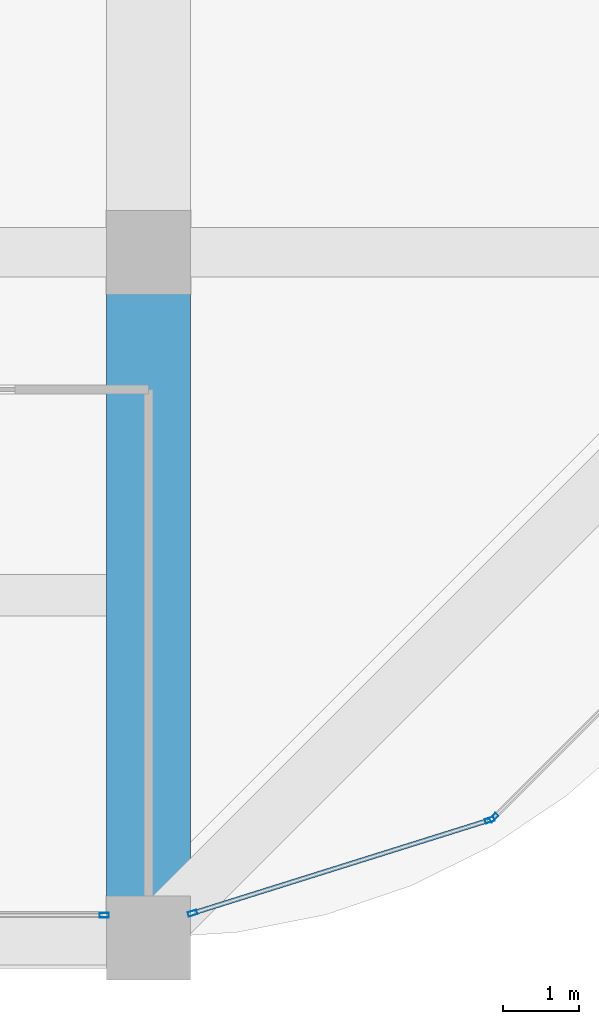
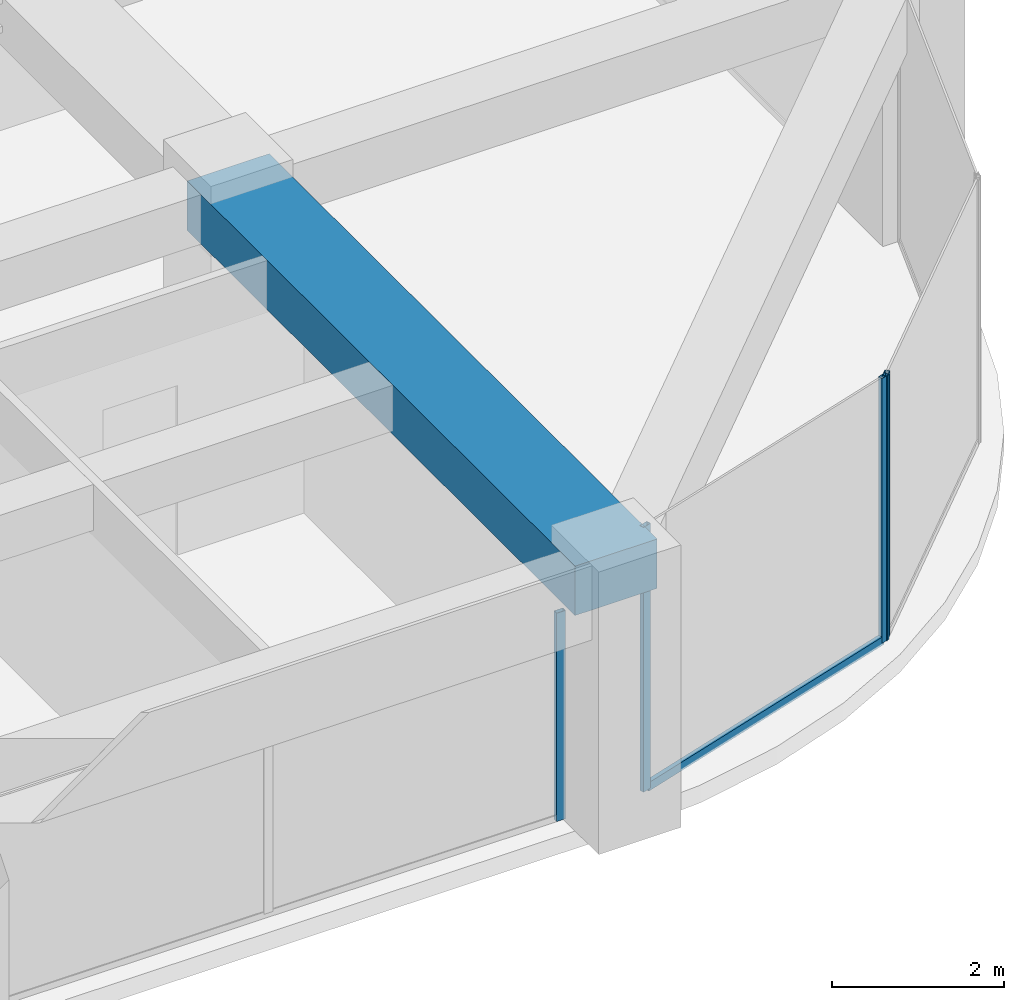
# One storey, part 18 of 44: 5 members, 1 beam, 3 elements without a shape of their own.
"""IFC4 building model written with IfcOpenShell, lengths in metres."""

from ifc_helpers import new_model, si_unit, direction, frame, origin, origin_2d, place, context, subcontext, project, spatial, rectangle, hollow_rectangle, extrude, material, material_profile, profile_set, type_object, element, aggregate, save


model = new_model("IFC4")

# Units and contexts
model_context = context("Model", 3, precision=1e-05, world=origin(), true_north=direction((0.0, 1.0)))
body_context = subcontext(model_context, "Body", "Model", "MODEL_VIEW")
ifc_project = project(units=[si_unit("LENGTHUNIT", "METRE"), si_unit("AREAUNIT", "SQUARE_METRE"), si_unit("VOLUMEUNIT", "CUBIC_METRE"), si_unit("PLANEANGLEUNIT", "RADIAN"), si_unit("MASSUNIT", "GRAM", prefix="KILO")], contexts=[model_context])

# Site, building, storey
site_placement = place(None, origin())
site = spatial("IfcSite", under=ifc_project, at=site_placement, CompositionType="ELEMENT")
building_placement = place(site_placement, origin())
building = spatial("IfcBuilding", under=site, at=building_placement, Name="Zorevar Civic Tower", CompositionType="ELEMENT")
storey_placement = place(building_placement, frame((0.0, 0.0, 283.39990234375)))
storey = spatial("IfcBuildingStorey", under=building, at=storey_placement, Name="L69", CompositionType="ELEMENT", Elevation=283.39990234375)

# Beam
ifc_material_1 = material(Name="Concrete C50/60", Category="concrete")
ifc_material_profile_1 = material_profile(ifc_material_1, rectangle(XDim=1.10009765625, YDim=0.699951171875, at=origin_2d()), Name="RC 1100x700")
ifc_profile_set_1 = profile_set([ifc_material_profile_1], Name="Concrete C50/60")
beam_type = type_object("IfcBeamType", Name="Beam RC 1100x700", PredefinedType="BEAM", material=ifc_profile_set_1)
beam_placement = place(storey_placement, frame((45.0, 0.0, 3.400146484375), z_axis=(0.0, 1.0, 0.0), x_axis=(-1.0, 0.0, 0.0)))
element("IfcBeam", 1, at=beam_placement, inside=storey, type_object=beam_type, Name="Girder L70", PredefinedType="BEAM", context=body_context, shape_type="SweptSolid", body=[
    extrude(rectangle(XDim=1.10009765625, YDim=0.699951171875, at=origin_2d()), origin(), (0.0, 0.0, 1.0), 9.0),
])

# Curtain wall, member
ifc_material_2 = material(Name="Dark grey solar-control glass in black aluminium frame", Category="aluminium")
curtain_wall_type = type_object("IfcCurtainWallType", Name="Curtain wall CW5 top zone", PredefinedType="NOTDEFINED", material=ifc_material_2)
curtain_wall_1_placement = place(storey_placement, origin())
curtain_wall_1 = element("IfcCurtainWall", 2, at=curtain_wall_1_placement, inside=storey, type_object=curtain_wall_type, Name="CW5 L69", PredefinedType="NOTDEFINED")
ifc_material_3 = material(Name="Aluminium, black anodised", Category="aluminium")
ifc_material_profile_2 = material_profile(ifc_material_3, hollow_rectangle(XDim=0.06005859375, YDim=0.1201171875, WallThickness=0.0029296875, at=origin_2d()), Name="AL 120x60x3")
ifc_profile_set_2 = profile_set([ifc_material_profile_2], Name="Aluminium, black anodised")
member_type_1 = type_object("IfcMemberType", Name="CW5 mullion AL 120x60x3", PredefinedType="MULLION", material=ifc_profile_set_2)
member_1_placement = place(storey_placement, frame((44.419921875, 0.300048828125, 0.0), z_axis=(0.0, 0.0, 1.0), x_axis=(0.0, 1.0, 0.0)))
member_1 = element("IfcMember", 3, at=member_1_placement, type_object=member_type_1, Name="CW5 mullion 3", PredefinedType="MULLION", context=body_context, shape_type="SweptSolid", body=[
    extrude(hollow_rectangle(XDim=0.06005859375, YDim=0.1201171875, WallThickness=0.0029296875, at=origin_2d()), origin(), (0.0, 0.0, 1.0), 2.9501953125),
])
aggregate(curtain_wall_1, [member_1])

# Curtain wall, members
curtain_wall_2_placement = place(storey_placement, origin())
curtain_wall_2 = element("IfcCurtainWall", 4, at=curtain_wall_2_placement, inside=storey, type_object=curtain_wall_type, Name="CW5 L69", PredefinedType="NOTDEFINED")
member_2_placement = place(storey_placement, frame((45.57861328125, 0.326416015625, 0.0), z_axis=(0.0, 0.0, 1.0), x_axis=(-0.299317920238, 0.954153437674, 0.0)))
member_2 = element("IfcMember", 5, at=member_2_placement, type_object=member_type_1, Name="CW5 mullion 1", PredefinedType="MULLION", context=body_context, shape_type="SweptSolid", body=[
    extrude(hollow_rectangle(XDim=0.06005859375, YDim=0.1201171875, WallThickness=0.0029296875, at=origin_2d()), origin(), (0.0, 0.0, 1.0), 3.75),
])
member_3_placement = place(storey_placement, frame((49.479248046875, 1.550048828125, 0.0), z_axis=(0.0, 0.0, 1.0), x_axis=(-0.299317920238, 0.954153437674, 0.0)))
member_3 = element("IfcMember", 6, at=member_3_placement, type_object=member_type_1, Name="CW5 mullion 2", PredefinedType="MULLION", context=body_context, shape_type="SweptSolid", body=[
    extrude(hollow_rectangle(XDim=0.06005859375, YDim=0.1201171875, WallThickness=0.0029296875, at=origin_2d()), origin(), (0.0, 0.0, 1.0), 3.75),
])

# Curtain wall, member
curtain_wall_3_placement = place(storey_placement, origin())
curtain_wall_3 = element("IfcCurtainWall", 7, at=curtain_wall_3_placement, inside=storey, type_object=curtain_wall_type, Name="CW5 L69", PredefinedType="NOTDEFINED")
member_4_placement = place(storey_placement, frame((49.529052734375, 1.580322265625, 0.0), z_axis=(0.0, 0.0, 1.0), x_axis=(-0.707106781187, 0.707106781187, 0.0)))
member_4 = element("IfcMember", 8, at=member_4_placement, type_object=member_type_1, Name="CW5 mullion 1", PredefinedType="MULLION", context=body_context, shape_type="SweptSolid", body=[
    extrude(hollow_rectangle(XDim=0.06005859375, YDim=0.1201171875, WallThickness=0.0029296875, at=origin_2d()), origin(), (0.0, 0.0, 1.0), 3.75),
])
aggregate(curtain_wall_3, [member_4])

# Member
ifc_material_4 = material(Name="Aluminium, black anodised", Category="aluminium")
ifc_material_profile_3 = material_profile(ifc_material_4, hollow_rectangle(XDim=0.06005859375, YDim=0.1201171875, WallThickness=0.0029296875, at=origin_2d()), Name="AL 120x60x3")
ifc_profile_set_3 = profile_set([ifc_material_profile_3], Name="Aluminium, black anodised")
member_type_2 = type_object("IfcMemberType", Name="CW5 transom AL 120x60x3", PredefinedType="USERDEFINED", material=ifc_profile_set_3)
member_5_placement = place(storey_placement, frame((45.607177734375, 0.33544921875, 0.030029296875), z_axis=(0.954163457351, 0.299285978047, 0.0), x_axis=(-0.299285978047, 0.954163457351, 0.0)))
member_5 = element("IfcMember", 9, at=member_5_placement, type_object=member_type_2, Name="CW5 sill transom", ObjectType="TRANSOM", PredefinedType="USERDEFINED", context=body_context, shape_type="SweptSolid", body=[
    extrude(hollow_rectangle(XDim=0.06005859375, YDim=0.1201171875, WallThickness=0.0029296875, at=origin_2d()), origin(), (0.0, 0.0, 1.0), 4.028076171875),
])

aggregate(curtain_wall_2, [member_2, member_3, member_5])

save(model, "model.ifc")
